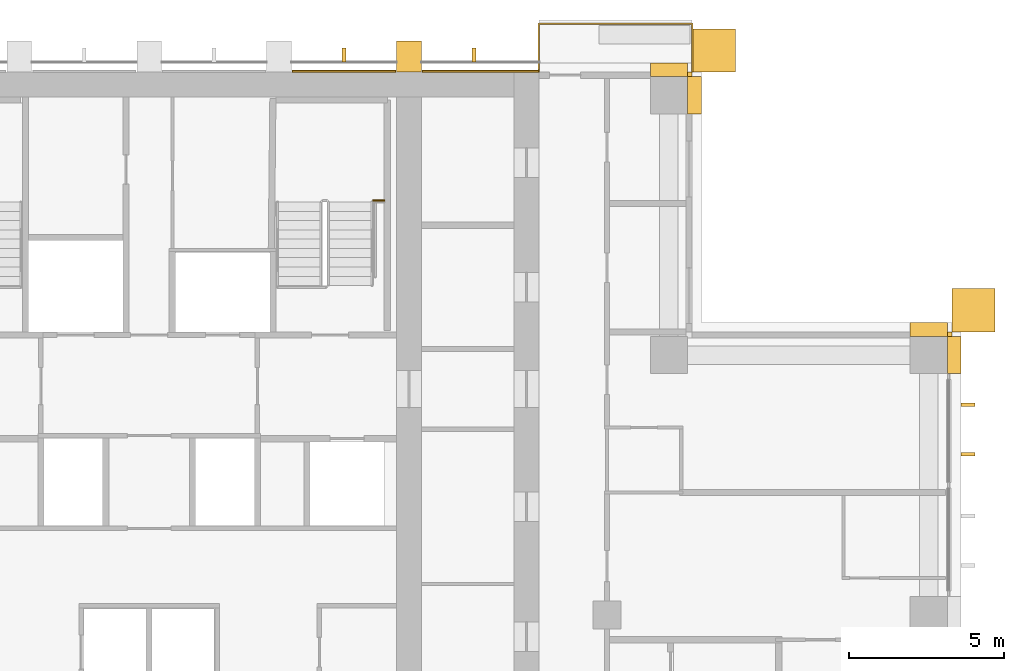
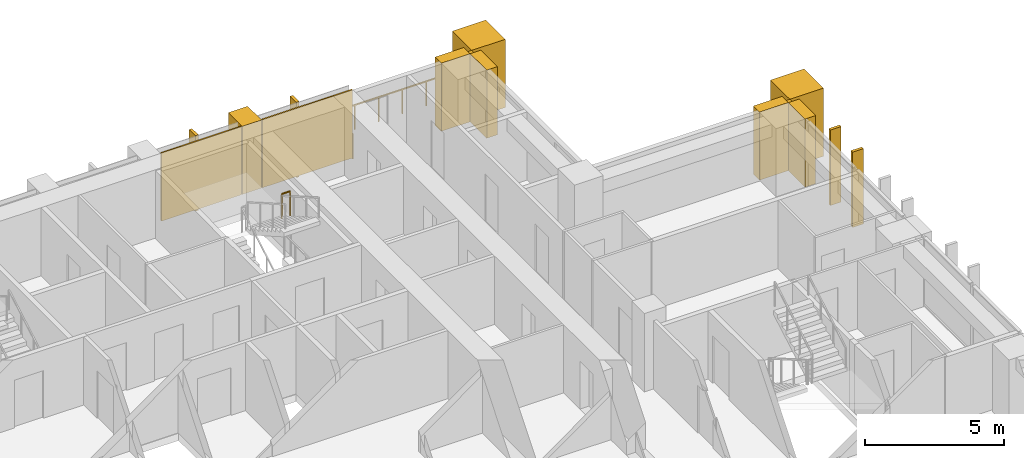
# One storey, part 21 of 21: 15 coverings, 2 railings.
"""IFC4 building model written with IfcOpenShell, lengths in metres."""

import ifcopenshell
import ifcopenshell.guid

model = None  # the IFC model being written
_history = None  # IfcOwnerHistory: only IFC2X3 demands one
_inside = {}  # id of a spatial element -> (the spatial element, [elements in it])
_under = {}  # id of a project, library or spatial element -> (it, [spatial elements below it])
_declared = {}  # id of a project -> (the project, [libraries it declares])
_typed = {}  # id of a type object -> (the type object, [elements of that type])
_made_of = {}  # id of a material, layer set ... -> (it, [elements and type objects made of it])


def new_model(schema):
    """Start an empty IFC model of exactly this schema.

    Asked for "IFC4X3", IfcOpenShell would pick the latest addendum, in which some entities
    have other attributes; the version numbers below select the first issue.
    IFC2X3 requires an IfcOwnerHistory on every rooted entity: one is made here for all.
    """
    global model, _history
    if schema == "IFC4X3":
        model = ifcopenshell.file(schema_version=(4, 3, 0, 0))
    else:
        model = ifcopenshell.file(schema=schema)
    _inside.clear()
    _under.clear()
    _declared.clear()
    _typed.clear()
    _made_of.clear()
    _history = None
    if model.schema == "IFC2X3":
        org = make("IfcOrganization", Name="unknown")
        user = make(
            "IfcPersonAndOrganization",
            ThePerson=make("IfcPerson", FamilyName="unknown"),
            TheOrganization=org,
        )
        app = make(
            "IfcApplication",
            ApplicationDeveloper=org,
            Version="unknown",
            ApplicationFullName="unknown",
            ApplicationIdentifier="unknown",
        )
        _history = make(
            "IfcOwnerHistory",
            OwningUser=user,
            OwningApplication=app,
            ChangeAction="ADDED",
            CreationDate=0,
        )
    return model


def make(cls, **values):
    """One entity of the class cls with the attributes given. An attribute that is None is left unset."""
    return model.create_entity(
        cls, **{name: value for name, value in values.items() if value is not None}
    )


def rooted(cls, **values):
    """An entity with a GlobalId (a new one), such as an element, a storey or a relation."""
    return make(cls, GlobalId=ifcopenshell.guid.new(), OwnerHistory=_history, **values)


def si_unit(unit_type, name, prefix=None):
    """IfcSIUnit, for example si_unit("LENGTHUNIT", "METRE", prefix="MILLI")."""
    return make("IfcSIUnit", UnitType=unit_type, Prefix=prefix, Name=name)


def assignment(units):
    """IfcUnitAssignment: the units of a project."""
    return None if units is None else make("IfcUnitAssignment", Units=units)


def point(xyz):
    """IfcCartesianPoint."""
    return None if xyz is None else make("IfcCartesianPoint", Coordinates=xyz)


def direction(xyz):
    """IfcDirection."""
    return None if xyz is None else make("IfcDirection", DirectionRatios=xyz)


def frame(location, z_axis=None, x_axis=None):
    """IfcAxis2Placement3D, a coordinate frame: its origin and axes. An axis left out is left unset."""
    return make(
        "IfcAxis2Placement3D",
        Location=point(location),
        Axis=direction(z_axis),
        RefDirection=direction(x_axis),
    )


def frame_2d(location, x_axis=None):
    """IfcAxis2Placement2D, a coordinate frame in the plane: its origin and x axis."""
    return make(
        "IfcAxis2Placement2D", Location=point(location), RefDirection=direction(x_axis)
    )


def origin():
    """The frame at (0, 0, 0) with its axes left unset."""
    return frame((0.0, 0.0, 0.0))


def origin_2d():
    """The frame at (0, 0) in the plane with its x axis left unset."""
    return frame_2d((0.0, 0.0))


def place(relative_to, where):
    """IfcLocalPlacement: puts the frame where relative to a parent placement (None: the world)."""
    return make(
        "IfcLocalPlacement", PlacementRelTo=relative_to, RelativePlacement=where
    )


def context(
    kind, dimensions, precision=None, world=None, true_north=None, identifier=None
):
    """IfcGeometricRepresentationContext, for example the 3D "Model" context."""
    return make(
        "IfcGeometricRepresentationContext",
        ContextIdentifier=identifier,
        ContextType=kind,
        CoordinateSpaceDimension=dimensions,
        Precision=precision,
        WorldCoordinateSystem=world,
        TrueNorth=true_north,
    )


def subcontext(parent, identifier, kind, view, scale=None):
    """IfcGeometricRepresentationSubContext, for example "Body" below "Model"."""
    return make(
        "IfcGeometricRepresentationSubContext",
        ContextIdentifier=identifier,
        ContextType=kind,
        ParentContext=parent,
        TargetScale=scale,
        TargetView=view,
    )


def project(units=None, contexts=None):
    """IfcProject with its units and contexts."""
    return rooted(
        "IfcProject",
        Name="project",
        RepresentationContexts=contexts,
        UnitsInContext=assignment(units),
    )


def spatial(cls, under=None, at=None, **own):
    """A site, building, storey or space (cls), placed at a placement, below another one or the project."""
    s = rooted(cls, ObjectPlacement=at, **own)
    if under is not None:
        _under.setdefault(under.id(), (under, []))[1].append(s)
    return s


def polyline(points):
    """IfcPolyline through the points."""
    return make("IfcPolyline", Points=[point(p) for p in points])


def profile(cls, at=None, kind="AREA", **sizes):
    """A parametric profile (cls). Its sizes go by their IFC names, for example OverallWidth=200.0."""
    return make(cls, ProfileType=kind, Position=at, **sizes)


def rectangle(**sizes):
    """IfcRectangleProfileDef."""
    return profile("IfcRectangleProfileDef", **sizes)


def outline(outer, holes=None, kind="AREA"):
    """IfcArbitraryClosedProfileDef: a profile drawn as a closed curve; with holes, ...WithVoids."""
    if holes is None:
        return make("IfcArbitraryClosedProfileDef", ProfileType=kind, OuterCurve=outer)
    return make(
        "IfcArbitraryProfileDefWithVoids",
        ProfileType=kind,
        OuterCurve=outer,
        InnerCurves=holes,
    )


def extrude(swept, where, along, depth):
    """IfcExtrudedAreaSolid: the profile swept, set in the frame where, extruded along a direction by depth."""
    return make(
        "IfcExtrudedAreaSolid",
        SweptArea=swept,
        Position=where,
        ExtrudedDirection=direction(along),
        Depth=depth,
    )


def shape(context_of_items, identifier, shape_type, items):
    """IfcShapeRepresentation: the items that make up one representation, for example the "Body"."""
    return make(
        "IfcShapeRepresentation",
        ContextOfItems=context_of_items,
        RepresentationIdentifier=identifier,
        RepresentationType=shape_type,
        Items=items,
    )


def material(Name=None, Category=None):
    """IfcMaterial."""
    return make("IfcMaterial", Name=Name, Category=Category)


def layer(
    of_material, thickness, ventilated=None, Name=None, Category=None, Priority=None
):
    """IfcMaterialLayer: one layer of a wall or slab, of a material (None: an air gap)."""
    return make(
        "IfcMaterialLayer",
        Material=of_material,
        LayerThickness=thickness,
        IsVentilated=ventilated,
        Name=Name,
        Category=Category,
        Priority=Priority,
    )


def layer_set(layers, Name=None):
    """IfcMaterialLayerSet."""
    return make("IfcMaterialLayerSet", MaterialLayers=layers, LayerSetName=Name)


def made_of(thing, what):
    """Note that an element or type object is made of a material, layer set ...; save() writes the relation."""
    if what is not None:
        _made_of.setdefault(what.id(), (what, []))[1].append(thing)
    return thing


def type_object(cls, material=None, **own):
    """A type object (cls), such as IfcWallType, which elements share."""
    return made_of(rooted(cls, **own), material)


def element(
    cls,
    number,
    at=None,
    inside=None,
    cuts=None,
    type_object=None,
    material=None,
    context=None,
    identifier="Body",
    shape_type=None,
    held_by="IfcProductDefinitionShape",
    body=None,
    shapes=None,
    **own,
):
    """One element of the class cls, such as IfcWall. Its Tag is "e" and its number.

    at: its placement. inside: the storey or other place that contains it. cuts: it is an
    opening in that element (IfcRelVoidsElement). A single representation is given by context,
    identifier, shape_type and body (its items); several are given by shapes. held_by: the class
    of the entity that holds the representations. save() writes the other relations.
    """
    e = rooted(cls, Tag="e%d" % number, ObjectPlacement=at, **own)
    if body is not None:
        shapes = [shape(context, identifier, shape_type, body)]
    if shapes is not None:
        e.Representation = make(held_by, Representations=shapes)
    if inside is not None:
        _inside.setdefault(inside.id(), (inside, []))[1].append(e)
    if cuts is not None:
        rooted(
            "IfcRelVoidsElement", RelatingBuildingElement=cuts, RelatedOpeningElement=e
        )
    if type_object is not None:
        _typed.setdefault(type_object.id(), (type_object, []))[1].append(e)
    return made_of(e, material)


def aggregate(whole, parts):
    """IfcRelAggregates: a whole, such as a stair, and the parts it consists of."""
    return rooted("IfcRelAggregates", RelatingObject=whole, RelatedObjects=parts)


def save(model, path):
    """Write the relations noted so far, then the file.

    IfcRelAggregates (storeys below a building ...), IfcRelContainedInSpatialStructure (elements
    in a storey), IfcRelDefinesByType, IfcRelAssociatesMaterial and IfcRelDeclares: one each for
    every whole, place, type object, material and project.
    """
    for whole, parts in _under.values():
        aggregate(whole, parts)
    for where, things in _inside.values():
        rooted(
            "IfcRelContainedInSpatialStructure",
            RelatedElements=things,
            RelatingStructure=where,
        )
    for kind, things in _typed.values():
        rooted("IfcRelDefinesByType", RelatedObjects=things, RelatingType=kind)
    for what, things in _made_of.values():
        rooted("IfcRelAssociatesMaterial", RelatedObjects=things, RelatingMaterial=what)
    for by, libraries in _declared.values():
        rooted("IfcRelDeclares", RelatingContext=by, RelatedDefinitions=libraries)
    model.write(path)


model = new_model("IFC4")

# Units and contexts
model_context = context("Model", 3, precision=1e-05, world=origin(), true_north=direction((0.0, 1.0)))
body_context = subcontext(model_context, "Body", "Model", "MODEL_VIEW")
ifc_project = project(units=[si_unit("LENGTHUNIT", "METRE"), si_unit("AREAUNIT", "SQUARE_METRE"), si_unit("VOLUMEUNIT", "CUBIC_METRE"), si_unit("PLANEANGLEUNIT", "RADIAN"), si_unit("MASSUNIT", "GRAM", prefix="KILO")], contexts=[model_context])

# Site, building, storey
site_placement = place(None, origin())
site = spatial("IfcSite", under=ifc_project, at=site_placement, CompositionType="ELEMENT")
building_placement = place(site_placement, origin())
building = spatial("IfcBuilding", under=site, at=building_placement, Name="Vermilion Ogive Tower", CompositionType="ELEMENT")
storey_placement = place(building_placement, frame((0.0, 0.0, 118.35009765625)))
storey = spatial("IfcBuildingStorey", under=building, at=storey_placement, Name="L30", CompositionType="ELEMENT", Elevation=118.35009765625)

# Railing
ifc_material_1 = material(Name="Stainless steel and glass", Category="steel")
railing_type_1 = type_object("IfcRailingType", Name="Balcony guard", PredefinedType="GUARDRAIL", material=ifc_material_1)
railing_1_placement = place(storey_placement, frame((17.550048828125, 21.75, -0.0400390625)))
element("IfcRailing", 1, at=railing_1_placement, inside=storey, type_object=railing_type_1, Name="Guard N101", PredefinedType="GUARDRAIL", context=body_context, shape_type="SweptSolid", body=[
    extrude(rectangle(XDim=0.048095703125, YDim=0.048095703125, at=origin_2d()), frame((0.0, 0.0, 1.076171875), z_axis=(0.0, 1.0, 0.0), x_axis=(-1.0, 0.0, 0.0)), (0.0, 0.0, 1.0), 1.56396484375),
    extrude(rectangle(XDim=0.048095703125, YDim=0.048095703125, at=origin_2d()), frame((0.0, 1.56396484375, 1.076171875), z_axis=(-1.0, 0.0, 0.0), x_axis=(0.0, -1.0, 0.0)), (0.0, 0.0, 1.0), 4.949951171875),
    extrude(rectangle(XDim=0.048095703125, YDim=0.048095703125, at=origin_2d()), frame((-4.949951171875, 1.56396484375, 1.076171875), z_axis=(0.0, -1.0, 0.0), x_axis=(1.0, 0.0, 0.0)), (0.0, 0.0, 1.0), 1.56396484375),
    extrude(rectangle(XDim=0.0419921875, YDim=0.0419921875, at=origin_2d()), origin(), (0.0, 0.0, 1.0), 1.052001953125),
    extrude(rectangle(XDim=0.0419921875, YDim=0.0419921875, at=origin_2d()), frame((0.0, 0.781982421875, 0.0)), (0.0, 0.0, 1.0), 1.052001953125),
    extrude(rectangle(XDim=0.0419921875, YDim=0.0419921875, at=origin_2d()), frame((0.0, 1.56396484375, 0.0)), (0.0, 0.0, 1.0), 1.052001953125),
    extrude(rectangle(XDim=0.0419921875, YDim=0.0419921875, at=origin_2d()), frame((-0.989990234375, 1.56396484375, 0.0)), (0.0, 0.0, 1.0), 1.052001953125),
    extrude(rectangle(XDim=0.0419921875, YDim=0.0419921875, at=origin_2d()), frame((-1.97998046875, 1.56396484375, 0.0)), (0.0, 0.0, 1.0), 1.052001953125),
    extrude(rectangle(XDim=0.0419921875, YDim=0.0419921875, at=origin_2d()), frame((-2.969970703125, 1.56396484375, 0.0)), (0.0, 0.0, 1.0), 1.052001953125),
    extrude(rectangle(XDim=0.0419921875, YDim=0.0419921875, at=origin_2d()), frame((-3.9599609375, 1.56396484375, 0.0)), (0.0, 0.0, 1.0), 1.052001953125),
    extrude(rectangle(XDim=0.0419921875, YDim=0.0419921875, at=origin_2d()), frame((-4.949951171875, 1.56396484375, 0.0)), (0.0, 0.0, 1.0), 1.052001953125),
    extrude(rectangle(XDim=0.0419921875, YDim=0.0419921875, at=origin_2d()), frame((-4.949951171875, 0.781982421875, 0.0)), (0.0, 0.0, 1.0), 1.052001953125),
    extrude(rectangle(XDim=0.0419921875, YDim=0.0419921875, at=origin_2d()), frame((-4.949951171875, 0.0, 0.0)), (0.0, 0.0, 1.0), 1.052001953125),
])

# Coverings
ifc_material_2 = material(Name="Glazed ceramic screen")
ifc_layer = layer(ifc_material_2, 0.14990234375)
ifc_layer_set = layer_set([ifc_layer], Name="Ceramic solar screen fin")
covering_type_1 = type_object("IfcCoveringType", Name="Ceramic solar screen fin", PredefinedType="CLADDING", material=ifc_layer_set)
covering_1_placement = place(storey_placement, frame((0.0, 0.0, -0.320068359375)))
element("IfcCovering", 2, at=covering_1_placement, inside=storey, type_object=covering_type_1, Name="Solar screen blade E021", PredefinedType="CLADDING", context=body_context, shape_type="SweptSolid", body=[
    extrude(outline(polyline([(26.699951171875, 9.340087890625), (26.699951171875, 9.4599609375), (26.25, 9.4599609375), (26.25, 9.340087890625), (26.699951171875, 9.340087890625)])), origin(), (0.0, 0.0, 1.0), 3.320068359375),
])
covering_2_placement = place(storey_placement, frame((0.0, 0.0, -0.320068359375)))
element("IfcCovering", 3, at=covering_2_placement, inside=storey, type_object=covering_type_1, Name="Solar screen blade E022", PredefinedType="CLADDING", context=body_context, shape_type="SweptSolid", body=[
    extrude(outline(polyline([(26.699951171875, 10.93994140625), (26.699951171875, 11.06005859375), (26.25, 11.06005859375), (26.25, 10.93994140625), (26.699951171875, 10.93994140625)])), origin(), (0.0, 0.0, 1.0), 3.320068359375),
])
covering_3_placement = place(storey_placement, frame((0.0, 0.0, -0.320068359375)))
element("IfcCovering", 4, at=covering_3_placement, inside=storey, type_object=covering_type_1, Name="Solar screen blade N5", PredefinedType="CLADDING", context=body_context, shape_type="SweptSolid", body=[
    extrude(outline(polyline([(6.239990234375, 22.08203125), (6.360107421875, 22.08203125), (6.360107421875, 22.531982421875), (6.239990234375, 22.531982421875), (6.239990234375, 22.08203125)])), origin(), (0.0, 0.0, 1.0), 3.320068359375),
])
covering_4_placement = place(storey_placement, frame((0.0, 0.0, -0.320068359375)))
element("IfcCovering", 5, at=covering_4_placement, inside=storey, type_object=covering_type_1, Name="Solar screen blade N6", PredefinedType="CLADDING", context=body_context, shape_type="SweptSolid", body=[
    extrude(outline(polyline([(10.43994140625, 22.08203125), (10.56005859375, 22.08203125), (10.56005859375, 22.531982421875), (10.43994140625, 22.531982421875), (10.43994140625, 22.08203125)])), origin(), (0.0, 0.0, 1.0), 3.320068359375),
])

# Railing
ifc_material_3 = material(Name="Steel S355 painted", Category="steel")
railing_type_2 = type_object("IfcRailingType", Name="Stair guard 1100", PredefinedType="GUARDRAIL", material=ifc_material_3)
railing_2_placement = place(storey_placement, frame((7.25, 17.60009765625, 1.724853515625)))
element("IfcRailing", 6, at=railing_2_placement, inside=storey, type_object=railing_type_2, Name="L30 landing guard", PredefinedType="GUARDRAIL", context=body_context, shape_type="SweptSolid", body=[
    extrude(rectangle(XDim=0.048095703125, YDim=0.048095703125, at=origin_2d()), frame((0.0, 0.0, 1.076171875), z_axis=(1.0, 0.0, 0.0), x_axis=(0.0, 1.0, 0.0)), (0.0, 0.0, 1.0), 0.35009765625),
    extrude(rectangle(XDim=0.0419921875, YDim=0.0419921875, at=origin_2d()), origin(), (0.0, 0.0, 1.0), 1.052001953125),
    extrude(rectangle(XDim=0.0419921875, YDim=0.0419921875, at=origin_2d()), frame((0.35009765625, 0.0, 0.0)), (0.0, 0.0, 1.0), 1.052001953125),
])

# Coverings
ifc_material_4 = material(Name="Stone cladding", Category="masonry")
covering_type_2 = type_object("IfcCoveringType", Name="Stone buttress pier", PredefinedType="CLADDING", material=ifc_material_4)
covering_5_placement = place(storey_placement, origin())
element("IfcCovering", 7, at=covering_5_placement, inside=storey, type_object=covering_type_2, Name="Stone buttress pier N5", PredefinedType="CLADDING", context=body_context, shape_type="SweptSolid", body=[
    extrude(outline(polyline([(8.0, 21.75), (8.800048828125, 21.75), (8.800048828125, 22.75), (8.0, 22.75), (8.0, 21.75)])), origin(), (0.0, 0.0, 1.0), 3.0),
])
ifc_material_5 = material(Name="Stone cladding", Category="masonry")
covering_type_3 = type_object("IfcCoveringType", Name="Stone cladding panel", PredefinedType="CLADDING", material=ifc_material_5)
covering_6_placement = place(storey_placement, origin())
element("IfcCovering", 8, at=covering_6_placement, inside=storey, type_object=covering_type_3, Name="Stone cladding panel N5", PredefinedType="CLADDING", context=body_context, shape_type="SweptSolid", body=[
    extrude(outline(polyline([(4.6298828125, 21.75), (7.969970703125, 21.75), (7.969970703125, 21.81005859375), (4.6298828125, 21.81005859375), (4.6298828125, 21.75)])), origin(), (0.0, 0.0, 1.0), 3.0),
])
covering_7_placement = place(storey_placement, origin())
element("IfcCovering", 9, at=covering_7_placement, inside=storey, type_object=covering_type_3, Name="Stone cladding panel N6", PredefinedType="CLADDING", context=body_context, shape_type="SweptSolid", body=[
    extrude(outline(polyline([(8.830078125, 21.75), (12.590087890625, 21.75), (12.590087890625, 21.81005859375), (8.830078125, 21.81005859375), (8.830078125, 21.75)])), origin(), (0.0, 0.0, 1.0), 3.0),
])
ifc_material_6 = material(Name="Stone cladding", Category="masonry")
covering_type_4 = type_object("IfcCoveringType", Name="Stone corner buttress", PredefinedType="CLADDING", material=ifc_material_6)
covering_8_placement = place(storey_placement, origin())
element("IfcCovering", 10, at=covering_8_placement, inside=storey, type_object=covering_type_4, Name="Stone corner buttress X31", PredefinedType="CLADDING", context=body_context, shape_type="SweptSolid", body=[
    extrude(outline(polyline([(27.35009765625, 14.75), (27.35009765625, 13.35009765625), (25.949951171875, 13.35009765625), (25.949951171875, 14.75), (27.35009765625, 14.75)])), origin(), (0.0, 0.0, 1.0), 3.0),
])
covering_9_placement = place(storey_placement, origin())
element("IfcCovering", 11, at=covering_9_placement, inside=storey, type_object=covering_type_4, Name="Stone corner buttress N11", PredefinedType="CLADDING", context=body_context, shape_type="SweptSolid", body=[
    extrude(outline(polyline([(18.949951171875, 21.75), (17.550048828125, 21.75), (17.550048828125, 22.050048828125), (17.550048828125, 23.14990234375), (18.949951171875, 23.14990234375), (18.949951171875, 21.75)])), origin(), (0.0, 0.0, 1.0), 3.0),
])
ifc_material_7 = material(Name="Stone cladding", Category="masonry")
covering_type_5 = type_object("IfcCoveringType", Name="Stone pier", PredefinedType="CLADDING", material=ifc_material_7)
covering_10_placement = place(storey_placement, origin())
element("IfcCovering", 12, at=covering_10_placement, inside=storey, type_object=covering_type_5, Name="Stone pier P+0168+210X4", PredefinedType="CLADDING", context=body_context, shape_type="SweptSolid", body=[
    extrude(outline(polyline([(17.85009765625, 21.60009765625), (17.85009765625, 20.39990234375), (17.39990234375, 20.39990234375), (17.39990234375, 21.60009765625), (17.85009765625, 21.60009765625)])), origin(), (0.0, 0.0, 1.0), 3.0),
])
covering_11_placement = place(storey_placement, origin())
element("IfcCovering", 13, at=covering_11_placement, inside=storey, type_object=covering_type_5, Name="Stone pier P+0168+210N1", PredefinedType="CLADDING", context=body_context, shape_type="SweptSolid", body=[
    extrude(outline(polyline([(17.39990234375, 22.050048828125), (17.39990234375, 21.60009765625), (16.199951171875, 21.60009765625), (16.199951171875, 22.050048828125), (17.39990234375, 22.050048828125)])), origin(), (0.0, 0.0, 1.0), 3.0),
])
covering_12_placement = place(storey_placement, origin())
element("IfcCovering", 14, at=covering_12_placement, inside=storey, type_object=covering_type_5, Name="Stone pier P+0252+126E", PredefinedType="CLADDING", context=body_context, shape_type="SweptSolid", body=[
    extrude(outline(polyline([(25.800048828125, 13.199951171875), (25.800048828125, 13.199951171875), (26.25, 13.199951171875), (26.25, 12.0), (25.800048828125, 12.0), (25.800048828125, 12.0), (25.800048828125, 13.199951171875)])), origin(), (0.0, 0.0, 1.0), 3.0),
])
covering_13_placement = place(storey_placement, origin())
element("IfcCovering", 15, at=covering_13_placement, inside=storey, type_object=covering_type_5, Name="Stone pier P+0252+126X3", PredefinedType="CLADDING", context=body_context, shape_type="SweptSolid", body=[
    extrude(outline(polyline([(25.800048828125, 13.64990234375), (25.800048828125, 13.199951171875), (25.800048828125, 13.199951171875), (24.60009765625, 13.199951171875), (24.60009765625, 13.64990234375), (25.800048828125, 13.64990234375)])), origin(), (0.0, 0.0, 1.0), 3.0),
])
covering_14_placement = place(storey_placement, origin())
element("IfcCovering", 16, at=covering_14_placement, inside=storey, type_object=covering_type_5, Name="Stone corner pier EE1", PredefinedType="CLADDING", context=body_context, shape_type="SweptSolid", body=[
    extrude(outline(polyline([(25.949951171875, 13.199951171875), (25.800048828125, 13.199951171875), (25.800048828125, 13.35009765625), (25.949951171875, 13.35009765625), (25.949951171875, 13.199951171875)])), origin(), (0.0, 0.0, 1.0), 3.0),
])
covering_15_placement = place(storey_placement, origin())
element("IfcCovering", 17, at=covering_15_placement, inside=storey, type_object=covering_type_5, Name="Stone corner pier X4E1", PredefinedType="CLADDING", context=body_context, shape_type="SweptSolid", body=[
    extrude(outline(polyline([(17.550048828125, 21.60009765625), (17.39990234375, 21.60009765625), (17.39990234375, 21.60009765625), (17.39990234375, 21.75), (17.550048828125, 21.75), (17.550048828125, 21.60009765625)])), origin(), (0.0, 0.0, 1.0), 3.0),
])

save(model, "model.ifc")
